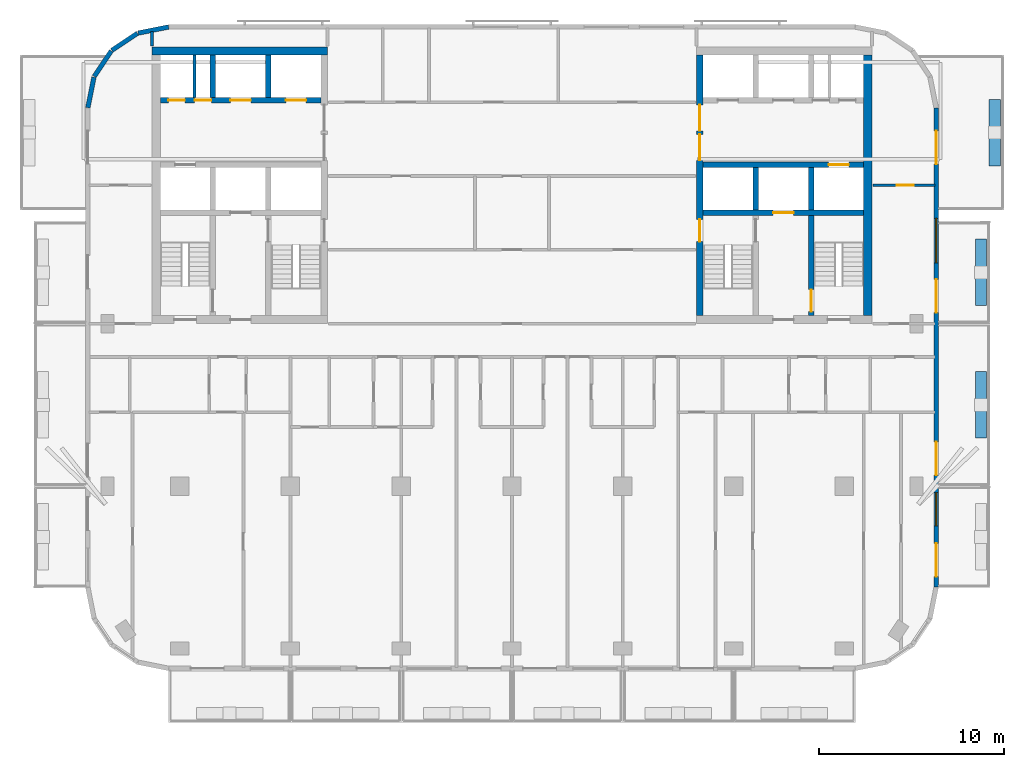
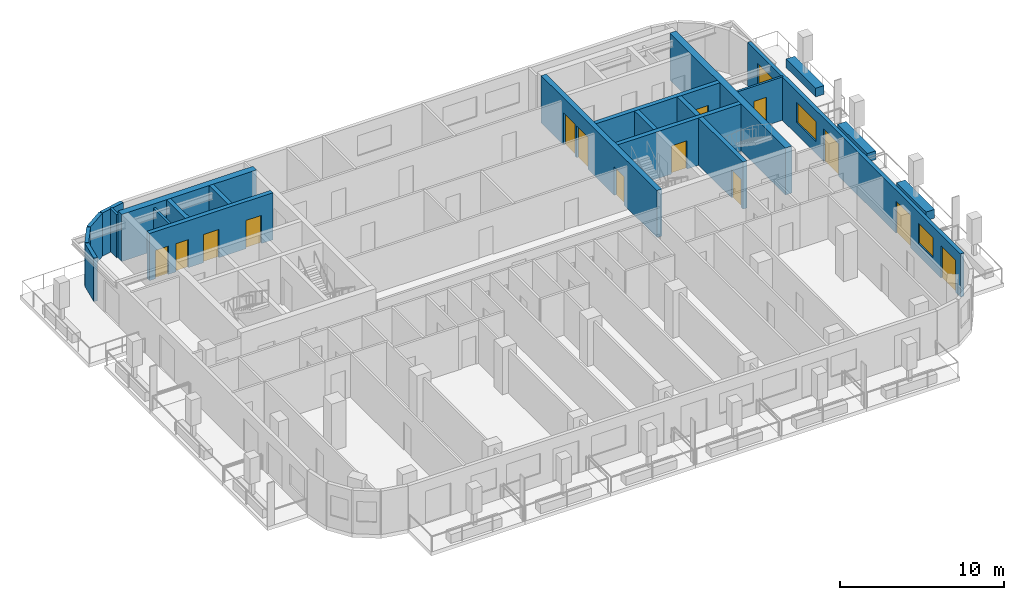
# One storey, part 6 of 11: 22 walls, 15 doors, 2 windows, 17 openings.
"""IFC4 building model written with IfcOpenShell, lengths in metres."""

from ifc_helpers import new_model, si_unit, direction, frame, frame_2d, origin, place, context, subcontext, project, spatial, rectangle, extrude, material, layer, layer_set, type_object, element, fill, save


model = new_model("IFC4")

# Units and contexts
model_context = context("Model", 3, precision=1e-05, world=origin(), true_north=direction((0.0, 1.0)))
body_context = subcontext(model_context, "Body", "Model", "MODEL_VIEW")
ifc_project = project(units=[si_unit("LENGTHUNIT", "METRE"), si_unit("AREAUNIT", "SQUARE_METRE"), si_unit("VOLUMEUNIT", "CUBIC_METRE"), si_unit("PLANEANGLEUNIT", "RADIAN"), si_unit("MASSUNIT", "GRAM", prefix="KILO")], contexts=[model_context])

# Site, building, storey
site_placement = place(None, origin())
site = spatial("IfcSite", under=ifc_project, at=site_placement, CompositionType="ELEMENT")
building_placement = place(site_placement, origin())
building = spatial("IfcBuilding", under=site, at=building_placement, Name="Torana Hotel and Residences", CompositionType="ELEMENT")
storey_placement = place(building_placement, frame((0.0, 0.0, 252.60009765625)))
storey = spatial("IfcBuildingStorey", under=building, at=storey_placement, Name="L66", CompositionType="ELEMENT", Elevation=252.60009765625)

# Wall, openings, doors
ifc_material_1 = material(Name="Concrete C60/75", Category="concrete")
ifc_layer_1 = layer(ifc_material_1, 0.300048828125)
ifc_layer_set_1 = layer_set([ifc_layer_1], Name="CORE WALL 300 C60/75")
wall_type_1 = type_object("IfcWallType", Name="CORE WALL 300 C60/75", PredefinedType="SHEAR", material=ifc_layer_set_1)
wall_1_placement = place(storey_placement, frame((-19.050048828125, -2.89990234375, 0.0), z_axis=(0.0, 0.0, 1.0), x_axis=(1.0, 0.0, 0.0)))
wall_1 = element("IfcWall", 1, at=wall_1_placement, inside=storey, type_object=wall_type_1, Name="Core wall W row-N", PredefinedType="SHEAR", context=body_context, shape_type="SweptSolid", body=[
    extrude(rectangle(XDim=8.699951171875, YDim=0.300048828125, at=frame_2d((4.35009765625, 0.0))), origin(), (0.0, 0.0, 1.0), 3.5),
])
opening_1_placement = place(wall_1_placement, frame((6.800048828125, 0.0, 0.0)))
opening_1 = element("IfcOpeningElement", 2, at=opening_1_placement, cuts=wall_1, Name="Opening LD", PredefinedType="OPENING", context=body_context, shape_type="SweptSolid", body=[
    extrude(rectangle(XDim=1.10009765625, YDim=2.10009765625, at=frame_2d((0.550048828125, 1.050048828125))), frame((0.0, 0.159912109375, 0.0), z_axis=(0.0, -1.0, 0.0), x_axis=(1.0, 0.0, 0.0)), (0.0, 0.0, 1.0), 0.320068359375),
])
opening_2_placement = place(wall_1_placement, frame((3.800048828125, 0.0, 0.0)))
opening_2 = element("IfcOpeningElement", 3, at=opening_2_placement, cuts=wall_1, Name="Opening LD", PredefinedType="OPENING", context=body_context, shape_type="SweptSolid", body=[
    extrude(rectangle(XDim=1.10009765625, YDim=2.10009765625, at=frame_2d((0.550048828125, 1.050048828125))), frame((0.0, 0.159912109375, 0.0), z_axis=(0.0, -1.0, 0.0), x_axis=(1.0, 0.0, 0.0)), (0.0, 0.0, 1.0), 0.320068359375),
])
opening_3_placement = place(wall_1_placement, frame((1.862548828125, 0.0, 0.0)))
opening_3 = element("IfcOpeningElement", 4, at=opening_3_placement, cuts=wall_1, Name="Opening L66-06", PredefinedType="OPENING", context=body_context, shape_type="SweptSolid", body=[
    extrude(rectangle(XDim=0.89990234375, YDim=2.10009765625, at=frame_2d((0.449951171875, 1.050048828125))), frame((0.0, 0.159912109375, 0.0), z_axis=(0.0, -1.0, 0.0), x_axis=(1.0, 0.0, 0.0)), (0.0, 0.0, 1.0), 0.320068359375),
])
opening_4_placement = place(wall_1_placement, frame((0.4375, 0.0, 0.0)))
opening_4 = element("IfcOpeningElement", 5, at=opening_4_placement, cuts=wall_1, Name="Opening L66-07", PredefinedType="OPENING", context=body_context, shape_type="SweptSolid", body=[
    extrude(rectangle(XDim=0.89990234375, YDim=2.10009765625, at=frame_2d((0.449951171875, 1.050048828125))), frame((0.0, 0.159912109375, 0.0), z_axis=(0.0, -1.0, 0.0), x_axis=(1.0, 0.0, 0.0)), (0.0, 0.0, 1.0), 0.320068359375),
])
ifc_material_2 = material(Name="Stainless steel 316", Category="steel")
door_type_1 = type_object("IfcDoorType", Name="LIFT LANDING DOOR LD 1100x2100", OperationType="DOUBLE_DOOR_SLIDING", PredefinedType="USERDEFINED", material=ifc_material_2)
door_1_placement = place(opening_1_placement, origin())
door_1 = element("IfcDoor", 6, at=door_1_placement, inside=storey, type_object=door_type_1, Name="Lift landing door H1 L66", ObjectType="LIFT LANDING DOOR", OperationType="DOUBLE_DOOR_SLIDING", OverallHeight=2.10009765625, OverallWidth=1.10009765625, PredefinedType="USERDEFINED", context=body_context, shape_type="SweptSolid", body=[
    extrude(rectangle(XDim=1.10009765625, YDim=2.10009765625, at=frame_2d((0.550048828125, 1.050048828125))), frame((0.0, 0.02490234375, 0.0), z_axis=(0.0, -1.0, 0.0), x_axis=(1.0, 0.0, 0.0)), (0.0, 0.0, 1.0), 0.050048828125),
])
fill(opening_1, door_1)
door_2_placement = place(opening_2_placement, origin())
door_2 = element("IfcDoor", 7, at=door_2_placement, inside=storey, type_object=door_type_1, Name="Lift landing door H2 L66", ObjectType="LIFT LANDING DOOR", OperationType="DOUBLE_DOOR_SLIDING", OverallHeight=2.10009765625, OverallWidth=1.10009765625, PredefinedType="USERDEFINED", context=body_context, shape_type="SweptSolid", body=[
    extrude(rectangle(XDim=1.10009765625, YDim=2.10009765625, at=frame_2d((0.550048828125, 1.050048828125))), frame((0.0, 0.02490234375, 0.0), z_axis=(0.0, -1.0, 0.0), x_axis=(1.0, 0.0, 0.0)), (0.0, 0.0, 1.0), 0.050048828125),
])
fill(opening_2, door_2)
ifc_material_3 = material(Name="Steel S235", Category="steel")
door_type_2 = type_object("IfcDoorType", Name="RISER ACCESS DOOR D5 900x2100", OperationType="SINGLE_SWING_LEFT", PredefinedType="DOOR", material=ifc_material_3)
door_3_placement = place(opening_3_placement, origin())
door_3 = element("IfcDoor", 8, at=door_3_placement, inside=storey, type_object=door_type_2, Name="N2A door L66", OperationType="SINGLE_SWING_LEFT", OverallHeight=2.10009765625, OverallWidth=0.89990234375, PredefinedType="DOOR", context=body_context, shape_type="SweptSolid", body=[
    extrude(rectangle(XDim=0.89990234375, YDim=2.10009765625, at=frame_2d((0.449951171875, 1.050048828125))), frame((0.0, 0.02490234375, 0.0), z_axis=(0.0, -1.0, 0.0), x_axis=(1.0, 0.0, 0.0)), (0.0, 0.0, 1.0), 0.050048828125),
])
fill(opening_3, door_3)
door_4_placement = place(opening_4_placement, origin())
door_4 = element("IfcDoor", 9, at=door_4_placement, inside=storey, type_object=door_type_2, Name="N2B door L66", OperationType="SINGLE_SWING_RIGHT", OverallHeight=2.10009765625, OverallWidth=0.89990234375, PredefinedType="DOOR", context=body_context, shape_type="SweptSolid", body=[
    extrude(rectangle(XDim=0.89990234375, YDim=2.10009765625, at=frame_2d((0.449951171875, 1.050048828125))), frame((0.0, 0.02490234375, 0.0), z_axis=(0.0, -1.0, 0.0), x_axis=(1.0, 0.0, 0.0)), (0.0, 0.0, 1.0), 0.050048828125),
])
fill(opening_4, door_4)

# Walls
for number, where, z_axis, x_axis, name in (
    (10, (-13.199951171875, -2.75, 0.0), (0.0, 0.0, 1.0), (0.0, 1.0, 0.0), "Core wall W x3.05-N"),
    (11, (-16.199951171875, -2.75, 0.0), (0.0, 0.0, 1.0), (0.0, 1.0, 0.0), "Core wall W x6.05-N"),
):
    element("IfcWall", number, at=place(storey_placement, frame(where, z_axis=z_axis, x_axis=x_axis)), inside=storey, type_object=wall_type_1, Name=name, PredefinedType="SHEAR", context=body_context, shape_type="SweptSolid", body=[
        extrude(rectangle(XDim=2.300048828125, YDim=0.300048828125, at=frame_2d((1.14990234375, 0.0))), origin(), (0.0, 0.0, 1.0), 3.5),
    ])

# Wall, opening, door
wall_2_placement = place(storey_placement, frame((10.35009765625, -6.39990234375, 0.0), z_axis=(0.0, 0.0, 1.0), x_axis=(1.0, 0.0, 0.0)))
wall_2 = element("IfcWall", 12, at=wall_2_placement, inside=storey, type_object=wall_type_1, Name="Core wall E row-S", PredefinedType="SHEAR", context=body_context, shape_type="SweptSolid", body=[
    extrude(rectangle(XDim=8.699951171875, YDim=0.300048828125, at=frame_2d((4.35009765625, 0.0))), origin(), (0.0, 0.0, 1.0), 3.5),
])
opening_5_placement = place(wall_2_placement, frame((6.800048828125, 0.0, 0.0)))
opening_5 = element("IfcOpeningElement", 13, at=opening_5_placement, cuts=wall_2, Name="Opening LD", PredefinedType="OPENING", context=body_context, shape_type="SweptSolid", body=[
    extrude(rectangle(XDim=1.10009765625, YDim=2.10009765625, at=frame_2d((0.550048828125, 1.050048828125))), frame((0.0, 0.159912109375, 0.0), z_axis=(0.0, -1.0, 0.0), x_axis=(1.0, 0.0, 0.0)), (0.0, 0.0, 1.0), 0.320068359375),
])
door_5_placement = place(opening_5_placement, origin())
door_5 = element("IfcDoor", 14, at=door_5_placement, inside=storey, type_object=door_type_1, Name="Lift landing door SV2 L66", ObjectType="LIFT LANDING DOOR", OperationType="DOUBLE_DOOR_SLIDING", OverallHeight=2.10009765625, OverallWidth=1.10009765625, PredefinedType="USERDEFINED", context=body_context, shape_type="SweptSolid", body=[
    extrude(rectangle(XDim=1.10009765625, YDim=2.10009765625, at=frame_2d((0.550048828125, 1.050048828125))), frame((0.0, 0.02490234375, 0.0), z_axis=(0.0, -1.0, 0.0), x_axis=(1.0, 0.0, 0.0)), (0.0, 0.0, 1.0), 0.050048828125),
])
fill(opening_5, door_5)

wall_3_placement = place(storey_placement, frame((10.35009765625, -9.0, 0.0), z_axis=(0.0, 0.0, 1.0), x_axis=(1.0, 0.0, 0.0)))
wall_3 = element("IfcWall", 15, at=wall_3_placement, inside=storey, type_object=wall_type_1, Name="Core wall E band", PredefinedType="SHEAR", context=body_context, shape_type="SweptSolid", body=[
    extrude(rectangle(XDim=8.699951171875, YDim=0.300048828125, at=frame_2d((4.35009765625, 0.0))), origin(), (0.0, 0.0, 1.0), 3.5),
])
opening_6_placement = place(wall_3_placement, frame((3.800048828125, 0.0, 0.0)))
opening_6 = element("IfcOpeningElement", 16, at=opening_6_placement, cuts=wall_3, Name="Opening LD", PredefinedType="OPENING", context=body_context, shape_type="SweptSolid", body=[
    extrude(rectangle(XDim=1.10009765625, YDim=2.10009765625, at=frame_2d((0.550048828125, 1.050048828125))), frame((0.0, 0.159912109375, 0.0), z_axis=(0.0, -1.0, 0.0), x_axis=(1.0, 0.0, 0.0)), (0.0, 0.0, 1.0), 0.320068359375),
])
door_6_placement = place(opening_6_placement, origin())
door_6 = element("IfcDoor", 17, at=door_6_placement, inside=storey, type_object=door_type_1, Name="Lift landing door FF2 L66", ObjectType="LIFT LANDING DOOR", OperationType="DOUBLE_DOOR_SLIDING", OverallHeight=2.10009765625, OverallWidth=1.10009765625, PredefinedType="USERDEFINED", context=body_context, shape_type="SweptSolid", body=[
    extrude(rectangle(XDim=1.10009765625, YDim=2.10009765625, at=frame_2d((0.550048828125, 1.050048828125))), frame((0.0, 0.02490234375, 0.0), z_axis=(0.0, -1.0, 0.0), x_axis=(1.0, 0.0, 0.0)), (0.0, 0.0, 1.0), 0.050048828125),
])
fill(opening_6, door_6)

# Walls
for number, where, z_axis, x_axis, name in (
    (18, (13.199951171875, -8.85009765625, 0.0), (0.0, 0.0, 1.0), (0.0, 1.0, 0.0), "Core wall E x3.05-S"),
    (19, (16.199951171875, -8.85009765625, 0.0), (0.0, 0.0, 1.0), (0.0, 1.0, 0.0), "Core wall E x6.05-S"),
):
    element("IfcWall", number, at=place(storey_placement, frame(where, z_axis=z_axis, x_axis=x_axis)), inside=storey, type_object=wall_type_1, Name=name, PredefinedType="SHEAR", context=body_context, shape_type="SweptSolid", body=[
        extrude(rectangle(XDim=2.300048828125, YDim=0.300048828125, at=frame_2d((1.14990234375, 0.0))), origin(), (0.0, 0.0, 1.0), 3.5),
    ])

# Wall, opening, door
wall_4_placement = place(storey_placement, frame((16.199951171875, -14.550048828125, 0.0), z_axis=(0.0, 0.0, 1.0), x_axis=(0.0, 1.0, 0.0)))
wall_4 = element("IfcWall", 20, at=wall_4_placement, inside=storey, type_object=wall_type_1, Name="Core wall E x6.05-band", PredefinedType="SHEAR", context=body_context, shape_type="SweptSolid", body=[
    extrude(rectangle(XDim=5.400146484375, YDim=0.300048828125, at=frame_2d((2.7001953125, 0.0))), origin(), (0.0, 0.0, 1.0), 3.5),
])
opening_7_placement = place(wall_4_placement, frame((0.199951171875, 0.0, 0.0)))
opening_7 = element("IfcOpeningElement", 21, at=opening_7_placement, cuts=wall_4, Name="Opening L66-18", PredefinedType="OPENING", context=body_context, shape_type="SweptSolid", body=[
    extrude(rectangle(XDim=1.199951171875, YDim=2.10009765625, at=frame_2d((0.60009765625, 1.050048828125))), frame((0.0, 0.159912109375, 0.0), z_axis=(0.0, -1.0, 0.0), x_axis=(1.0, 0.0, 0.0)), (0.0, 0.0, 1.0), 0.320068359375),
])
ifc_material_4 = material(Name="Steel S235", Category="steel")
door_type_3 = type_object("IfcDoorType", Name="STAIR FIRE DOOR D3 1200x2100", OperationType="SINGLE_SWING_LEFT", PredefinedType="DOOR", material=ifc_material_4)
door_7_placement = place(opening_7_placement, frame((0.60009765625, 0.0, 0.0), z_axis=(0.0, 0.0, 1.0), x_axis=(-1.0, 0.0, 0.0)))
door_7 = element("IfcDoor", 22, at=door_7_placement, inside=storey, type_object=door_type_3, Name="Stair-B-lobby door L66", OperationType="SINGLE_SWING_LEFT", OverallHeight=2.10009765625, OverallWidth=1.199951171875, PredefinedType="DOOR", context=body_context, shape_type="SweptSolid", body=[
    extrude(rectangle(XDim=1.199951171875, YDim=2.10009765625, at=frame_2d((0.0, 1.050048828125))), frame((0.0, -0.02490234375, 0.0), z_axis=(0.0, 1.0, 0.0), x_axis=(-1.0, 0.0, 0.0)), (0.0, 0.0, 1.0), 0.050048828125),
])
fill(opening_7, door_7)

# Wall, openings, doors
ifc_material_5 = material(Name="Concrete C60/75", Category="concrete")
ifc_layer_2 = layer(ifc_material_5, 0.35009765625)
ifc_layer_set_2 = layer_set([ifc_layer_2], Name="CORE WALL 350 C60/75")
wall_type_2 = type_object("IfcWallType", Name="CORE WALL 350 C60/75", PredefinedType="SHEAR", material=ifc_layer_set_2)
wall_5_placement = place(storey_placement, frame((10.175048828125, -14.550048828125, 0.0), z_axis=(0.0, 0.0, 1.0), x_axis=(0.0, 1.0, 0.0)))
wall_5 = element("IfcWall", 23, at=wall_5_placement, inside=storey, type_object=wall_type_2, Name="Core wall E arch", PredefinedType="SHEAR", context=body_context, shape_type="SweptSolid", body=[
    extrude(rectangle(XDim=14.10009765625, YDim=0.35009765625, at=frame_2d((7.050048828125, 0.0))), origin(), (0.0, 0.0, 1.0), 3.5),
])
opening_8_placement = place(wall_5_placement, frame((8.39990234375, 0.0, 0.0)))
opening_8 = element("IfcOpeningElement", 24, at=opening_8_placement, cuts=wall_5, Name="Opening L66-10", PredefinedType="OPENING", context=body_context, shape_type="SweptSolid", body=[
    extrude(rectangle(XDim=1.39990234375, YDim=2.39990234375, at=frame_2d((0.699951171875, 1.199951171875))), frame((0.0, 0.18505859375, 0.0), z_axis=(0.0, -1.0, 0.0), x_axis=(1.0, 0.0, 0.0)), (0.0, 0.0, 1.0), 0.3701171875),
])
opening_9_placement = place(wall_5_placement, frame((10.0, 0.0, 0.0)))
opening_9 = element("IfcOpeningElement", 25, at=opening_9_placement, cuts=wall_5, Name="Opening L66-11", PredefinedType="OPENING", context=body_context, shape_type="SweptSolid", body=[
    extrude(rectangle(XDim=1.39990234375, YDim=2.39990234375, at=frame_2d((0.699951171875, 1.199951171875))), frame((0.0, 0.18505859375, 0.0), z_axis=(0.0, -1.0, 0.0), x_axis=(1.0, 0.0, 0.0)), (0.0, 0.0, 1.0), 0.3701171875),
])
opening_10_placement = place(wall_5_placement, frame((4.0, 0.0, 0.0)))
opening_10 = element("IfcOpeningElement", 26, at=opening_10_placement, cuts=wall_5, Name="Opening L66-12", PredefinedType="OPENING", context=body_context, shape_type="SweptSolid", body=[
    extrude(rectangle(XDim=1.199951171875, YDim=2.10009765625, at=frame_2d((0.60009765625, 1.050048828125))), frame((0.0, 0.18505859375, 0.0), z_axis=(0.0, -1.0, 0.0), x_axis=(1.0, 0.0, 0.0)), (0.0, 0.0, 1.0), 0.3701171875),
])
ifc_material_6 = material(Name="Steel S235", Category="steel")
door_type_4 = type_object("IfcDoorType", Name="LOBBY FIRE DOOR D4 1400x2400", OperationType="DOUBLE_DOOR_SINGLE_SWING", PredefinedType="DOOR", material=ifc_material_6)
door_8_placement = place(opening_8_placement, origin())
door_8 = element("IfcDoor", 27, at=door_8_placement, inside=storey, type_object=door_type_4, Name="Lobby-1 door L66", OperationType="DOUBLE_DOOR_SINGLE_SWING", OverallHeight=2.39990234375, OverallWidth=1.39990234375, PredefinedType="DOOR", context=body_context, shape_type="SweptSolid", body=[
    extrude(rectangle(XDim=1.39990234375, YDim=2.39990234375, at=frame_2d((0.699951171875, 1.199951171875))), frame((0.0, 0.02490234375, 0.0), z_axis=(0.0, -1.0, 0.0), x_axis=(1.0, 0.0, 0.0)), (0.0, 0.0, 1.0), 0.050048828125),
])
fill(opening_8, door_8)
door_9_placement = place(opening_9_placement, origin())
door_9 = element("IfcDoor", 28, at=door_9_placement, inside=storey, type_object=door_type_4, Name="Lobby-2 door L66", OperationType="DOUBLE_DOOR_SINGLE_SWING", OverallHeight=2.39990234375, OverallWidth=1.39990234375, PredefinedType="DOOR", context=body_context, shape_type="SweptSolid", body=[
    extrude(rectangle(XDim=1.39990234375, YDim=2.39990234375, at=frame_2d((0.699951171875, 1.199951171875))), frame((0.0, 0.02490234375, 0.0), z_axis=(0.0, -1.0, 0.0), x_axis=(1.0, 0.0, 0.0)), (0.0, 0.0, 1.0), 0.050048828125),
])
fill(opening_9, door_9)
door_10_placement = place(opening_10_placement, frame((0.60009765625, 0.0, 0.0), z_axis=(0.0, 0.0, 1.0), x_axis=(-1.0, 0.0, 0.0)))
door_10 = element("IfcDoor", 29, at=door_10_placement, inside=storey, type_object=door_type_3, Name="Stair-A door L66", OperationType="SINGLE_SWING_RIGHT", OverallHeight=2.10009765625, OverallWidth=1.199951171875, PredefinedType="DOOR", context=body_context, shape_type="SweptSolid", body=[
    extrude(rectangle(XDim=1.199951171875, YDim=2.10009765625, at=frame_2d((0.0, 1.050048828125))), frame((0.0, -0.02490234375, 0.0), z_axis=(0.0, 1.0, 0.0), x_axis=(-1.0, 0.0, 0.0)), (0.0, 0.0, 1.0), 0.050048828125),
])
fill(opening_10, door_10)

# Walls
ifc_material_7 = material(Name="Concrete C60/75", Category="concrete")
ifc_layer_3 = layer(ifc_material_7, 0.449951171875)
ifc_layer_set_3 = layer_set([ifc_layer_3], Name="CORE WALL 450 C60/75")
wall_type_3 = type_object("IfcWallType", Name="CORE WALL 450 C60/75", PredefinedType="SHEAR", material=ifc_layer_set_3)
wall_6_placement = place(storey_placement, frame((-19.5, -0.22509765625, 0.0), z_axis=(0.0, 0.0, 1.0), x_axis=(1.0, 0.0, 0.0)))
element("IfcWall", 30, at=wall_6_placement, inside=storey, type_object=wall_type_3, Name="Core wall W rear", PredefinedType="SHEAR", context=body_context, shape_type="SweptSolid", body=[
    extrude(rectangle(XDim=9.5, YDim=0.449951171875, at=frame_2d((4.75, 0.0))), origin(), (0.0, 0.0, 1.0), 3.5),
])
wall_7_placement = place(storey_placement, frame((19.27490234375, -14.550048828125, 0.0), z_axis=(0.0, 0.0, 1.0), x_axis=(0.0, 1.0, 0.0)))
element("IfcWall", 31, at=wall_7_placement, inside=storey, type_object=wall_type_3, Name="Core wall E outer", PredefinedType="SHEAR", context=body_context, shape_type="SweptSolid", body=[
    extrude(rectangle(XDim=14.10009765625, YDim=0.449951171875, at=frame_2d((7.050048828125, 0.0))), origin(), (0.0, 0.0, 1.0), 3.5),
])
ifc_material_8 = material(Name="Black aluminium composite panel", Category="aluminium")
ifc_layer_4 = layer(ifc_material_8, 0.00390625, Name="Cladding", Category="cladding")
ifc_material_9 = material(Name="Ventilated air cavity")
ifc_layer_5 = layer(ifc_material_9, 0.0400390625, Name="Ventilated cavity", Category="cavity")
ifc_material_10 = material(Name="Mineral wool insulation")
ifc_layer_6 = layer(ifc_material_10, 0.090087890625, Name="Insulation", Category="insulation")
ifc_material_11 = material(Name="Steel S280GD", Category="steel")
ifc_layer_7 = layer(ifc_material_11, 0.092041015625, Name="Steel stud frame", Category="structure")
ifc_material_12 = material(Name="Fire rated plasterboard")
ifc_layer_8 = layer(ifc_material_12, 0.011962890625, Name="Inner board", Category="finish")
ifc_layer_9 = layer(ifc_material_12, 0.011962890625, Name="Second board", Category="finish")
ifc_layer_set_4 = layer_set([ifc_layer_4, ifc_layer_5, ifc_layer_6, ifc_layer_7, ifc_layer_8, ifc_layer_9], Name="EW1 EXTERNAL WALL BLACK METAL CLAD 250")
wall_type_4 = type_object("IfcWallType", Name="EW1 EXTERNAL WALL BLACK METAL CLAD 250", PredefinedType="SOLIDWALL", material=ifc_layer_set_4)
wall_8_placement = place(storey_placement, frame((-18.599853515625, 1.072509765625, 0.0), z_axis=(0.0, 0.0, 1.0), x_axis=(-0.980797896849, -0.195026884138, 0.0)))
element("IfcWall", 32, at=wall_8_placement, inside=storey, type_object=wall_type_4, Name="External wall L66 e0.5", PredefinedType="SOLIDWALL", context=body_context, shape_type="SweptSolid", body=[
    extrude(rectangle(XDim=1.68115234375, YDim=0.25, at=frame_2d((0.840576171875, 0.0))), origin(), (0.0, 0.0, 1.0), 3.219970703125),
])
for number, where, z_axis, x_axis, name in (
    (33, (-20.2939453125, 0.725830078125, 0.0), (0.0, 0.0, 1.0), (-0.831482937015, -0.55555029066, 0.0), "External wall L66 e0.6"),
    (34, (-21.705810546875, -0.228759765625, 0.0), (0.0, 0.0, 1.0), (-0.55555029066, -0.831482937015, 0.0), "External wall L66 e0.7"),
):
    element("IfcWall", number, at=place(storey_placement, frame(where, z_axis=z_axis, x_axis=x_axis)), inside=storey, type_object=wall_type_4, Name=name, PredefinedType="SOLIDWALL", context=body_context, shape_type="SweptSolid", body=[
        extrude(rectangle(XDim=1.65625, YDim=0.25, at=frame_2d((0.828125, 0.0))), origin(), (0.0, 0.0, 1.0), 3.219970703125),
    ])
wall_9_placement = place(storey_placement, frame((-22.64453125, -1.651123046875, 0.0), z_axis=(0.0, 0.0, 1.0), x_axis=(-0.19513878023, -0.980775640221, 0.0)))
element("IfcWall", 35, at=wall_9_placement, inside=storey, type_object=wall_type_4, Name="External wall L66 e0.8", PredefinedType="SOLIDWALL", context=body_context, shape_type="SweptSolid", body=[
    extrude(rectangle(XDim=1.681396484375, YDim=0.25, at=frame_2d((0.8408203125, 0.0))), origin(), (0.0, 0.0, 1.0), 3.219970703125),
])

# Wall, openings, doors, windows
wall_10_placement = place(storey_placement, frame((22.97509765625, -29.275390625, 0.0), z_axis=(0.0, 0.0, 1.0), x_axis=(0.0, 1.0, 0.0)))
wall_10 = element("IfcWall", 36, at=wall_10_placement, inside=storey, type_object=wall_type_4, Name="External wall L66 e0.19", PredefinedType="SOLIDWALL", context=body_context, shape_type="SweptSolid", body=[
    extrude(rectangle(XDim=25.95068359375, YDim=0.25, at=frame_2d((12.975341796875, 0.0))), origin(), (0.0, 0.0, 1.0), 3.219970703125),
])
opening_11_placement = place(wall_10_placement, frame((0.575439453125, 0.0, 0.0)))
opening_11 = element("IfcOpeningElement", 37, at=opening_11_placement, cuts=wall_10, Name="Opening L66-E07", PredefinedType="OPENING", context=body_context, shape_type="SweptSolid", body=[
    extrude(rectangle(XDim=1.800048828125, YDim=2.39990234375, at=frame_2d((0.89990234375, 1.199951171875))), frame((0.0, 0.135009765625, 0.0), z_axis=(0.0, -1.0, 0.0), x_axis=(1.0, 0.0, 0.0)), (0.0, 0.0, 1.0), 0.27001953125),
])
opening_12_placement = place(wall_10_placement, frame((3.325439453125, 0.0, 0.89990234375)))
opening_12 = element("IfcOpeningElement", 38, at=opening_12_placement, cuts=wall_10, Name="Opening W4", PredefinedType="OPENING", context=body_context, shape_type="SweptSolid", body=[
    extrude(rectangle(XDim=1.800048828125, YDim=1.5, at=frame_2d((0.89990234375, 0.75))), frame((0.0, 0.135009765625, 0.0), z_axis=(0.0, -1.0, 0.0), x_axis=(1.0, 0.0, 0.0)), (0.0, 0.0, 1.0), 0.27001953125),
])
opening_13_placement = place(wall_10_placement, frame((6.075439453125, 0.0, 0.0)))
opening_13 = element("IfcOpeningElement", 39, at=opening_13_placement, cuts=wall_10, Name="Opening L66-E08", PredefinedType="OPENING", context=body_context, shape_type="SweptSolid", body=[
    extrude(rectangle(XDim=1.800048828125, YDim=2.39990234375, at=frame_2d((0.89990234375, 1.199951171875))), frame((0.0, 0.135009765625, 0.0), z_axis=(0.0, -1.0, 0.0), x_axis=(1.0, 0.0, 0.0)), (0.0, 0.0, 1.0), 0.27001953125),
])
opening_14_placement = place(wall_10_placement, frame((14.87548828125, 0.0, 0.0)))
opening_14 = element("IfcOpeningElement", 40, at=opening_14_placement, cuts=wall_10, Name="Opening L66-E09", PredefinedType="OPENING", context=body_context, shape_type="SweptSolid", body=[
    extrude(rectangle(XDim=1.800048828125, YDim=2.39990234375, at=frame_2d((0.89990234375, 1.199951171875))), frame((0.0, 0.135009765625, 0.0), z_axis=(0.0, -1.0, 0.0), x_axis=(1.0, 0.0, 0.0)), (0.0, 0.0, 1.0), 0.27001953125),
])
opening_15_placement = place(wall_10_placement, frame((17.575439453125, 0.0, 0.89990234375)))
opening_15 = element("IfcOpeningElement", 41, at=opening_15_placement, cuts=wall_10, Name="Opening W3", PredefinedType="OPENING", context=body_context, shape_type="SweptSolid", body=[
    extrude(rectangle(XDim=2.39990234375, YDim=1.5, at=frame_2d((1.199951171875, 0.75))), frame((0.0, 0.135009765625, 0.0), z_axis=(0.0, -1.0, 0.0), x_axis=(1.0, 0.0, 0.0)), (0.0, 0.0, 1.0), 0.27001953125),
])
opening_16_placement = place(wall_10_placement, frame((22.92529296875, 0.0, 0.0)))
opening_16 = element("IfcOpeningElement", 42, at=opening_16_placement, cuts=wall_10, Name="Opening L66-E10", PredefinedType="OPENING", context=body_context, shape_type="SweptSolid", body=[
    extrude(rectangle(XDim=1.800048828125, YDim=2.39990234375, at=frame_2d((0.89990234375, 1.199951171875))), frame((0.0, 0.135009765625, 0.0), z_axis=(0.0, -1.0, 0.0), x_axis=(1.0, 0.0, 0.0)), (0.0, 0.0, 1.0), 0.27001953125),
])
ifc_material_13 = material(Name="Dark glass in black aluminium frame", Category="aluminium")
door_type_5 = type_object("IfcDoorType", Name="DB1 BALCONY DOOR 1800x2400", OperationType="DOUBLE_DOOR_SINGLE_SWING", PredefinedType="DOOR", material=ifc_material_13)
door_11_placement = place(opening_11_placement, origin())
door_11 = element("IfcDoor", 43, at=door_11_placement, inside=storey, type_object=door_type_5, Name="Balcony door L66", OperationType="DOUBLE_DOOR_SINGLE_SWING", OverallHeight=2.39990234375, OverallWidth=1.800048828125, PredefinedType="DOOR", context=body_context, shape_type="SweptSolid", body=[
    extrude(rectangle(XDim=1.800048828125, YDim=2.39990234375, at=frame_2d((0.89990234375, 1.199951171875))), frame((0.0, 0.02490234375, 0.0), z_axis=(0.0, -1.0, 0.0), x_axis=(1.0, 0.0, 0.0)), (0.0, 0.0, 1.0), 0.050048828125),
])
fill(opening_11, door_11)
door_12_placement = place(opening_13_placement, origin())
door_12 = element("IfcDoor", 44, at=door_12_placement, inside=storey, type_object=door_type_5, Name="Balcony door L66", OperationType="DOUBLE_DOOR_SINGLE_SWING", OverallHeight=2.39990234375, OverallWidth=1.800048828125, PredefinedType="DOOR", context=body_context, shape_type="SweptSolid", body=[
    extrude(rectangle(XDim=1.800048828125, YDim=2.39990234375, at=frame_2d((0.89990234375, 1.199951171875))), frame((0.0, 0.02490234375, 0.0), z_axis=(0.0, -1.0, 0.0), x_axis=(1.0, 0.0, 0.0)), (0.0, 0.0, 1.0), 0.050048828125),
])
fill(opening_13, door_12)
door_13_placement = place(opening_14_placement, origin())
door_13 = element("IfcDoor", 45, at=door_13_placement, inside=storey, type_object=door_type_5, Name="Balcony door L66", OperationType="DOUBLE_DOOR_SINGLE_SWING", OverallHeight=2.39990234375, OverallWidth=1.800048828125, PredefinedType="DOOR", context=body_context, shape_type="SweptSolid", body=[
    extrude(rectangle(XDim=1.800048828125, YDim=2.39990234375, at=frame_2d((0.89990234375, 1.199951171875))), frame((0.0, 0.02490234375, 0.0), z_axis=(0.0, -1.0, 0.0), x_axis=(1.0, 0.0, 0.0)), (0.0, 0.0, 1.0), 0.050048828125),
])
fill(opening_14, door_13)
door_14_placement = place(opening_16_placement, origin())
door_14 = element("IfcDoor", 46, at=door_14_placement, inside=storey, type_object=door_type_5, Name="Balcony door L66", OperationType="DOUBLE_DOOR_SINGLE_SWING", OverallHeight=2.39990234375, OverallWidth=1.800048828125, PredefinedType="DOOR", context=body_context, shape_type="SweptSolid", body=[
    extrude(rectangle(XDim=1.800048828125, YDim=2.39990234375, at=frame_2d((0.89990234375, 1.199951171875))), frame((0.0, 0.02490234375, 0.0), z_axis=(0.0, -1.0, 0.0), x_axis=(1.0, 0.0, 0.0)), (0.0, 0.0, 1.0), 0.050048828125),
])
fill(opening_16, door_14)
ifc_material_14 = material(Name="Dark glass in black aluminium frame", Category="aluminium")
window_type_1 = type_object("IfcWindowType", Name="W3 RESIDENCE WINDOW 2400x1500", PartitioningType="SINGLE_PANEL", PredefinedType="WINDOW", material=ifc_material_14)
window_1_placement = place(opening_15_placement, origin())
window_1 = element("IfcWindow", 47, at=window_1_placement, inside=storey, type_object=window_type_1, Name="Window L66", OverallHeight=1.5, OverallWidth=2.39990234375, PartitioningType="SINGLE_PANEL", PredefinedType="WINDOW", context=body_context, shape_type="SweptSolid", body=[
    extrude(rectangle(XDim=2.39990234375, YDim=1.5, at=frame_2d((1.199951171875, 0.75))), frame((0.0, 0.030029296875, 0.0), z_axis=(0.0, -1.0, 0.0), x_axis=(1.0, 0.0, 0.0)), (0.0, 0.0, 1.0), 0.06005859375),
])
fill(opening_15, window_1)
ifc_material_15 = material(Name="Dark glass in black aluminium frame", Category="aluminium")
window_type_2 = type_object("IfcWindowType", Name="W4 RESIDENCE WINDOW NARROW 1800x1500", PartitioningType="SINGLE_PANEL", PredefinedType="WINDOW", material=ifc_material_15)
window_2_placement = place(opening_12_placement, origin())
window_2 = element("IfcWindow", 48, at=window_2_placement, inside=storey, type_object=window_type_2, Name="Window L66", OverallHeight=1.5, OverallWidth=1.800048828125, PartitioningType="SINGLE_PANEL", PredefinedType="WINDOW", context=body_context, shape_type="SweptSolid", body=[
    extrude(rectangle(XDim=1.800048828125, YDim=1.5, at=frame_2d((0.89990234375, 0.75))), frame((0.0, 0.030029296875, 0.0), z_axis=(0.0, -1.0, 0.0), x_axis=(1.0, 0.0, 0.0)), (0.0, 0.0, 1.0), 0.06005859375),
])
fill(opening_12, window_2)

# Walls
ifc_material_16 = material(Name="Gypsum plaster")
ifc_layer_10 = layer(ifc_material_16, 0.014892578125, Name="Plaster", Category="finish")
ifc_material_17 = material(Name="Concrete blockwork", Category="masonry")
ifc_layer_11 = layer(ifc_material_17, 0.1201171875, Name="Blockwork", Category="structure")
ifc_layer_12 = layer(ifc_material_16, 0.014892578125, Name="Plaster", Category="finish")
ifc_layer_set_5 = layer_set([ifc_layer_10, ifc_layer_11, ifc_layer_12], Name="FIRE PARTITION 150 BLOCKWORK")
wall_type_5 = type_object("IfcWallType", Name="FIRE PARTITION 150 BLOCKWORK", PredefinedType="PARTITIONING", material=ifc_layer_set_5)
wall_11_placement = place(storey_placement, frame((-17.199951171875, -2.75, 0.0), z_axis=(0.0, 0.0, 1.0), x_axis=(0.0, 1.0, 0.0)))
element("IfcWall", 49, at=wall_11_placement, inside=storey, type_object=wall_type_5, Name="Core partition L66", PredefinedType="PARTITIONING", context=body_context, shape_type="SweptSolid", body=[
    extrude(rectangle(XDim=2.300048828125, YDim=0.14990234375, at=frame_2d((1.14990234375, 0.0))), origin(), (0.0, 0.0, 1.0), 3.199951171875),
])
ifc_material_18 = material(Name="Gypsum plasterboard")
ifc_layer_13 = layer(ifc_material_18, 0.012451171875, Name="Plasterboard", Category="finish")
ifc_layer_14 = layer(ifc_material_18, 0.012451171875, Name="Plasterboard", Category="finish")
ifc_layer_15 = layer(ifc_material_11, 0.10009765625, Name="Steel studs with mineral wool", Category="insulation")
ifc_layer_16 = layer(ifc_material_18, 0.012451171875, Name="Plasterboard", Category="finish")
ifc_layer_17 = layer(ifc_material_18, 0.012451171875, Name="Plasterboard", Category="finish")
ifc_layer_set_6 = layer_set([ifc_layer_13, ifc_layer_14, ifc_layer_15, ifc_layer_16, ifc_layer_17], Name="PARTITION 150 PLASTERBOARD")
wall_type_6 = type_object("IfcWallType", Name="PARTITION 150 PLASTERBOARD", PredefinedType="PARTITIONING", material=ifc_layer_set_6)
wall_12_placement = place(storey_placement, frame((-19.5, 0.050048828125, 0.0), z_axis=(0.0, 0.0, 1.0), x_axis=(0.0, 1.0, 0.0)))
element("IfcWall", 50, at=wall_12_placement, inside=storey, type_object=wall_type_6, Name="Partition L66", PredefinedType="PARTITIONING", context=body_context, shape_type="SweptSolid", body=[
    extrude(rectangle(XDim=0.787353515625, YDim=0.14990234375, at=frame_2d((0.3935546875, 0.0))), origin(), (0.0, 0.0, 1.0), 3.219970703125),
])

# Wall, opening, door
wall_13_placement = place(storey_placement, frame((19.550048828125, -7.5, 0.0), z_axis=(0.0, 0.0, 1.0), x_axis=(1.0, 0.0, 0.0)))
wall_13 = element("IfcWall", 51, at=wall_13_placement, inside=storey, type_object=wall_type_6, Name="Partition L66", PredefinedType="PARTITIONING", context=body_context, shape_type="SweptSolid", body=[
    extrude(rectangle(XDim=3.369873046875, YDim=0.14990234375, at=frame_2d((1.68505859375, 0.0))), origin(), (0.0, 0.0, 1.0), 3.219970703125),
])
opening_17_placement = place(wall_13_placement, frame((1.300048828125, 0.0, 0.0)))
opening_17 = element("IfcOpeningElement", 52, at=opening_17_placement, cuts=wall_13, Name="Opening L66-62", PredefinedType="OPENING", context=body_context, shape_type="SweptSolid", body=[
    extrude(rectangle(XDim=0.89990234375, YDim=2.10009765625, at=frame_2d((0.449951171875, 1.050048828125))), frame((0.0, 0.0849609375, 0.0), z_axis=(0.0, -1.0, 0.0), x_axis=(1.0, 0.0, 0.0)), (0.0, 0.0, 1.0), 0.169921875),
])
ifc_material_19 = material(Name="Timber door, oiled ash", Category="wood")
door_type_6 = type_object("IfcDoorType", Name="ROOM DOOR D7 900x2100", OperationType="SINGLE_SWING_LEFT", PredefinedType="DOOR", material=ifc_material_19)
door_15_placement = place(opening_17_placement, origin())
door_15 = element("IfcDoor", 53, at=door_15_placement, inside=storey, type_object=door_type_6, Name="Door L66", OperationType="SINGLE_SWING_LEFT", OverallHeight=2.10009765625, OverallWidth=0.89990234375, PredefinedType="DOOR", context=body_context, shape_type="SweptSolid", body=[
    extrude(rectangle(XDim=0.89990234375, YDim=2.10009765625, at=frame_2d((0.449951171875, 1.050048828125))), frame((0.0, 0.02490234375, 0.0), z_axis=(0.0, -1.0, 0.0), x_axis=(1.0, 0.0, 0.0)), (0.0, 0.0, 1.0), 0.050048828125),
])
fill(opening_17, door_15)

# Walls
ifc_material_20 = material(Name="Concrete C40/50 precast", Category="concrete")
ifc_layer_18 = layer(ifc_material_20, 0.10009765625, Name="Planter shell", Category="structure")
ifc_material_21 = material(Name="Root resistant membrane")
ifc_layer_19 = layer(ifc_material_21, 0.00390625, Name="Waterproofing membrane", Category="membrane")
ifc_material_22 = material(Name="Drainage board with filter fleece")
ifc_layer_20 = layer(ifc_material_22, 0.02001953125, Name="Drainage board", Category="drainage")
ifc_material_23 = material(Name="Growing medium")
ifc_layer_21 = layer(ifc_material_23, 0.47607421875, Name="Planting substrate", Category="soil")
ifc_layer_set_7 = layer_set([ifc_layer_18, ifc_layer_19, ifc_layer_20, ifc_layer_21], Name="PL1 BALCONY PLANTER 600")
wall_type_7 = type_object("IfcWallType", Name="PL1 BALCONY PLANTER 600", PredefinedType="USERDEFINED", material=ifc_layer_set_7)
for number, where, z_axis, x_axis, name in (
    (54, (25.39990234375, -17.60009765625, 0.0), (0.0, 0.0, 1.0), (0.0, -1.0, 0.0), "Planter 12"),
    (55, (25.39990234375, -10.425048828125, 0.0), (0.0, 0.0, 1.0), (0.0, -1.0, 0.0), "Planter 13"),
    (56, (26.14990234375, -2.85009765625, 0.0), (0.0, 0.0, 1.0), (0.0, -1.0, 0.0), "Planter 14"),
):
    element("IfcWall", number, at=place(storey_placement, frame(where, z_axis=z_axis, x_axis=x_axis)), inside=storey, type_object=wall_type_7, Name=name, ObjectType="PLANTER", PredefinedType="USERDEFINED", context=body_context, shape_type="SweptSolid", body=[
        extrude(rectangle(XDim=3.599853515625, YDim=0.60009765625, at=frame_2d((1.7998046875, 0.0))), origin(), (0.0, 0.0, 1.0), 0.64990234375),
    ])

save(model, "model.ifc")
